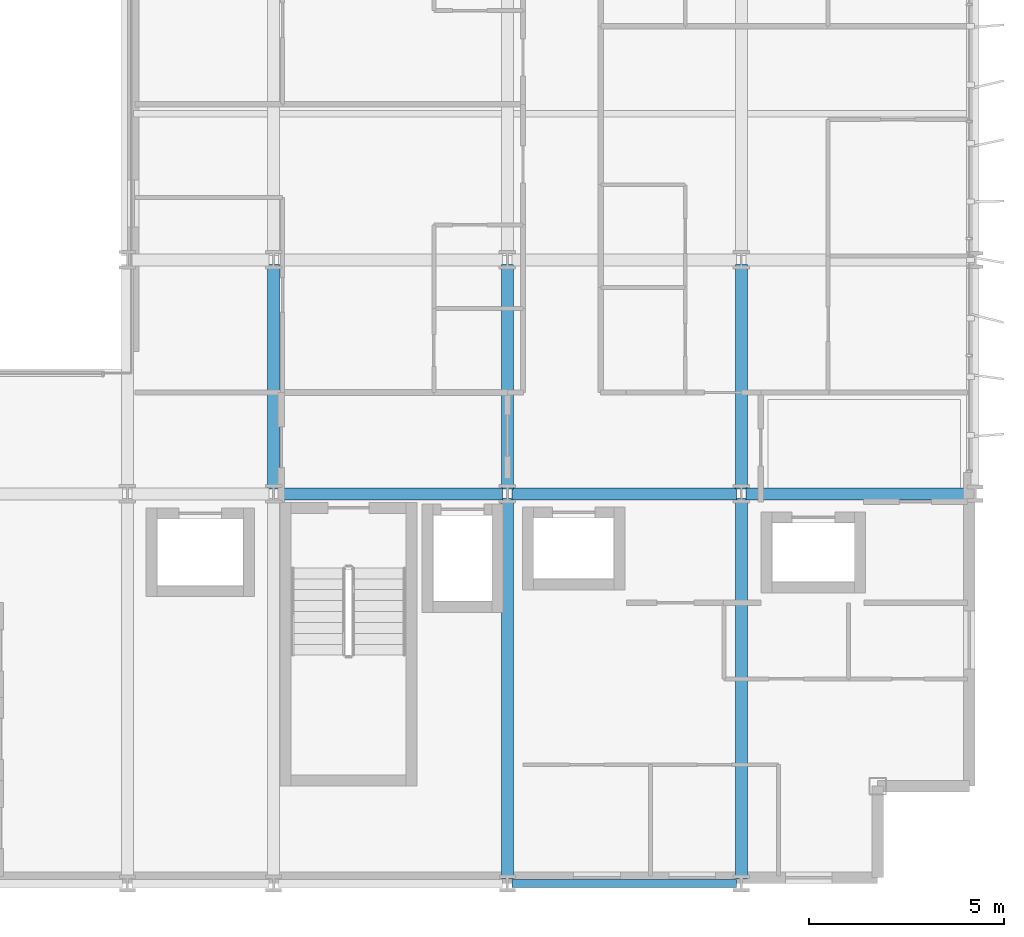
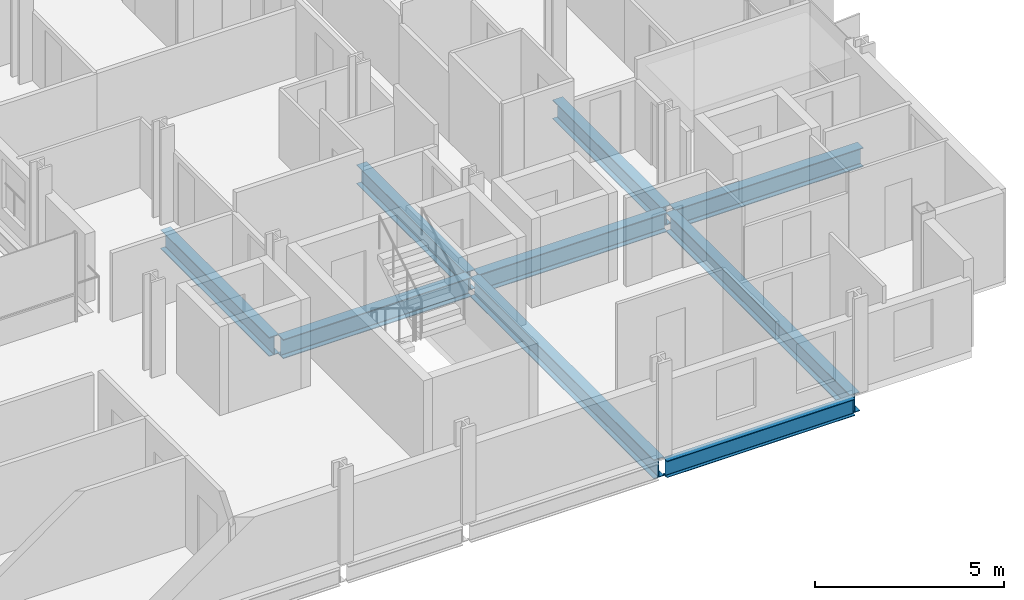
# One storey, part 14 of 38: 9 beams.
"""IFC4 building model written with IfcOpenShell, lengths in metres."""

from ifc_helpers import new_model, si_unit, direction, frame, origin, origin_2d, place, context, subcontext, project, spatial, i_section, extrude, material, material_profile, profile_set, type_object, element, save


model = new_model("IFC4")

# Units and contexts
model_context = context("Model", 3, precision=1e-05, world=origin(), true_north=direction((0.0, 1.0)))
body_context = subcontext(model_context, "Body", "Model", "MODEL_VIEW")
ifc_project = project(units=[si_unit("LENGTHUNIT", "METRE"), si_unit("AREAUNIT", "SQUARE_METRE"), si_unit("VOLUMEUNIT", "CUBIC_METRE"), si_unit("PLANEANGLEUNIT", "RADIAN"), si_unit("MASSUNIT", "GRAM", prefix="KILO")], contexts=[model_context])

# Site, building, storey
site_placement = place(None, origin())
site = spatial("IfcSite", under=ifc_project, at=site_placement, CompositionType="ELEMENT")
building_placement = place(site_placement, origin())
building = spatial("IfcBuilding", under=site, at=building_placement, Name="Brevholm Reach", CompositionType="ELEMENT")
storey_placement = place(building_placement, frame((0.0, 0.0, 59.0)))
storey = spatial("IfcBuildingStorey", under=building, at=storey_placement, Name="L16", CompositionType="ELEMENT", Elevation=59.0)

# Beams
ifc_material_1 = material(Name="Structural Steel S355J2", Category="steel")
ifc_material_profile_1 = material_profile(ifc_material_1, i_section(OverallWidth=0.210693359375, OverallDepth=0.53955078125, WebThickness=0.01171875, FlangeThickness=0.018798828125, FilletRadius=0.0126953125, at=origin_2d()), Name="UKB 533x210x109")
ifc_profile_set_1 = profile_set([ifc_material_profile_1], Name="Structural Steel S355J2")
beam_type_1 = type_object("IfcBeamType", Name="BM-SP539", PredefinedType="SPANDREL", material=ifc_profile_set_1)
beam_1_placement = place(storey_placement, frame((48.1201171875, 0.0, -0.499755859375), z_axis=(1.0, 0.0, 0.0), x_axis=(0.0, 1.0, 0.0)))
element("IfcBeam", 1, at=beam_1_placement, inside=storey, type_object=beam_type_1, Name="L16 SP-01B Framing Beam", PredefinedType="SPANDREL", context=body_context, shape_type="SweptSolid", body=[
    extrude(i_section(OverallWidth=0.210693359375, OverallDepth=0.53955078125, WebThickness=0.01171875, FlangeThickness=0.018798828125, FilletRadius=0.0126953125, at=origin_2d()), origin(), (0.0, 0.0, 1.0), 5.759765625),
])
ifc_material_2 = material(Name="Structural Steel S355J2", Category="steel")
ifc_material_profile_2 = material_profile(ifc_material_2, i_section(OverallWidth=0.30712890625, OverallDepth=0.6201171875, WebThickness=0.01416015625, FlangeThickness=0.023681640625, FilletRadius=0.0166015625, at=origin_2d()), Name="UKB 610x305x179")
ifc_profile_set_2 = profile_set([ifc_material_profile_2], Name="Structural Steel S355J2")
beam_type_2 = type_object("IfcBeamType", Name="BM-UKB610H", PredefinedType="USERDEFINED", material=ifc_profile_set_2)
for number, where, z_axis, x_axis, name in (
    (2, (42.1201171875, 10.0, -0.5400390625), (1.0, 0.0, 0.0), (0.0, 1.0, 0.0), "L16 G-06 Framing Beam"),
    (3, (48.1201171875, 10.0, -0.5400390625), (1.0, 0.0, 0.0), (0.0, 1.0, 0.0), "L16 G-06 Framing Beam"),
    (4, (54.1201171875, 10.0, -0.5400390625), (1.0, 0.0, 0.0), (0.0, 1.0, 0.0), "L16 G-06 Framing Beam"),
    (5, (42.0, 10.1201171875, -0.5400390625), (0.0, 1.0, 0.0), (-1.0, 0.0, 0.0), "L16 G-06 Framing Beam"),
):
    element("IfcBeam", number, at=place(storey_placement, frame(where, z_axis=z_axis, x_axis=x_axis)), inside=storey, type_object=beam_type_2, Name=name, ObjectType="GIRDER", PredefinedType="USERDEFINED", context=body_context, shape_type="SweptSolid", body=[
        extrude(i_section(OverallWidth=0.30712890625, OverallDepth=0.6201171875, WebThickness=0.01416015625, FlangeThickness=0.023681640625, FilletRadius=0.0166015625, at=origin_2d()), origin(), (0.0, 0.0, 1.0), 5.759765625),
    ])
beam_2_placement = place(storey_placement, frame((48.0, 0.1201171875, -0.5400390625), z_axis=(0.0, 1.0, 0.0), x_axis=(-1.0, 0.0, 0.0)))
element("IfcBeam", 6, at=beam_2_placement, inside=storey, type_object=beam_type_2, Name="L16 G-06 Framing Beam", ObjectType="GIRDER", PredefinedType="USERDEFINED", context=body_context, shape_type="SweptSolid", body=[
    extrude(i_section(OverallWidth=0.30712890625, OverallDepth=0.6201171875, WebThickness=0.01416015625, FlangeThickness=0.023681640625, FilletRadius=0.0166015625, at=origin_2d()), origin(), (0.0, 0.0, 1.0), 9.759765625),
])
beam_3_placement = place(storey_placement, frame((48.0, 10.1201171875, -0.5400390625), z_axis=(0.0, 1.0, 0.0), x_axis=(-1.0, 0.0, 0.0)))
element("IfcBeam", 7, at=beam_3_placement, inside=storey, type_object=beam_type_2, Name="L16 G-06 Framing Beam", ObjectType="GIRDER", PredefinedType="USERDEFINED", context=body_context, shape_type="SweptSolid", body=[
    extrude(i_section(OverallWidth=0.30712890625, OverallDepth=0.6201171875, WebThickness=0.01416015625, FlangeThickness=0.023681640625, FilletRadius=0.0166015625, at=origin_2d()), origin(), (0.0, 0.0, 1.0), 5.759765625),
])
beam_4_placement = place(storey_placement, frame((54.0, 0.1201171875, -0.5400390625), z_axis=(0.0, 1.0, 0.0), x_axis=(-1.0, 0.0, 0.0)))
element("IfcBeam", 8, at=beam_4_placement, inside=storey, type_object=beam_type_2, Name="L16 G-06 Framing Beam", ObjectType="GIRDER", PredefinedType="USERDEFINED", context=body_context, shape_type="SweptSolid", body=[
    extrude(i_section(OverallWidth=0.30712890625, OverallDepth=0.6201171875, WebThickness=0.01416015625, FlangeThickness=0.023681640625, FilletRadius=0.0166015625, at=origin_2d()), origin(), (0.0, 0.0, 1.0), 9.759765625),
])
beam_5_placement = place(storey_placement, frame((54.0, 10.1201171875, -0.5400390625), z_axis=(0.0, 1.0, 0.0), x_axis=(-1.0, 0.0, 0.0)))
element("IfcBeam", 9, at=beam_5_placement, inside=storey, type_object=beam_type_2, Name="L16 G-06 Framing Beam", ObjectType="GIRDER", PredefinedType="USERDEFINED", context=body_context, shape_type="SweptSolid", body=[
    extrude(i_section(OverallWidth=0.30712890625, OverallDepth=0.6201171875, WebThickness=0.01416015625, FlangeThickness=0.023681640625, FilletRadius=0.0166015625, at=origin_2d()), origin(), (0.0, 0.0, 1.0), 5.759765625),
])

save(model, "model.ifc")
